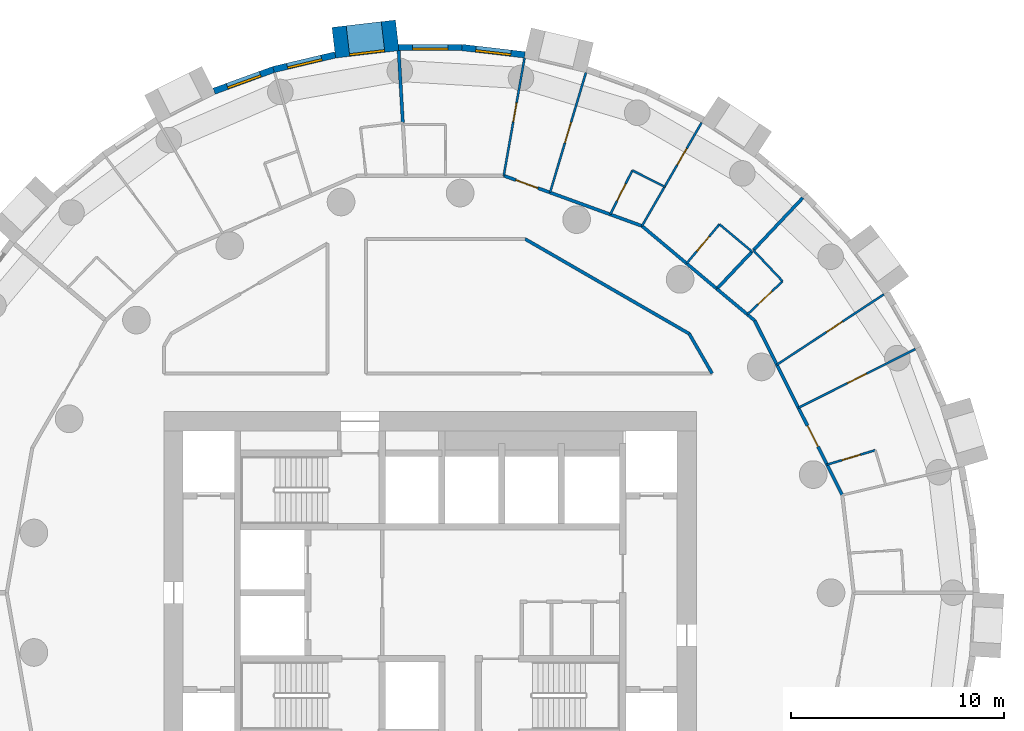
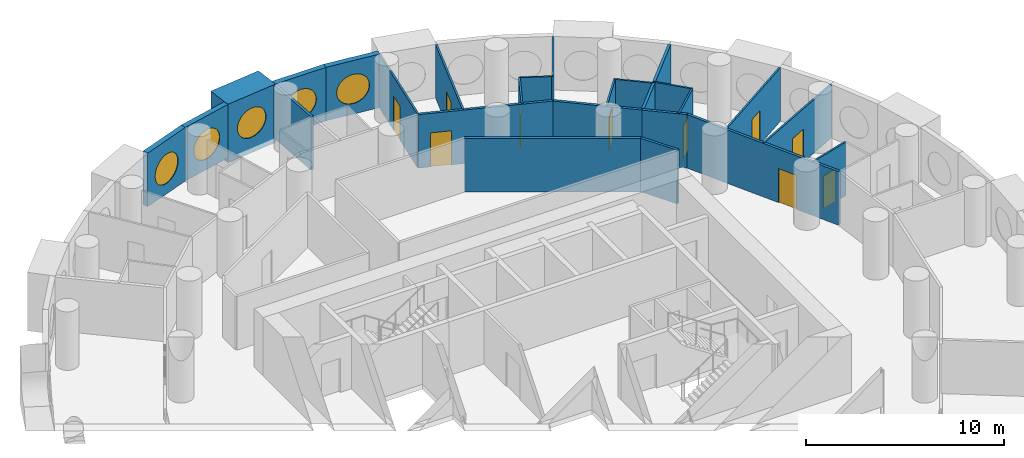
# One storey, part 7 of 10: 27 walls, 11 doors, 5 windows, 16 openings.
"""IFC4 building model written with IfcOpenShell, lengths in metres."""

from ifc_helpers import new_model, si_unit, direction, frame, frame_2d, origin, origin_2d, place, context, subcontext, project, spatial, rectangle, circle, extrude, material, layer, layer_set, type_object, element, fill, save


model = new_model("IFC4")

# Units and contexts
model_context = context("Model", 3, precision=1e-05, world=origin(), true_north=direction((0.0, 1.0)))
body_context = subcontext(model_context, "Body", "Model", "MODEL_VIEW")
ifc_project = project(units=[si_unit("LENGTHUNIT", "METRE"), si_unit("AREAUNIT", "SQUARE_METRE"), si_unit("VOLUMEUNIT", "CUBIC_METRE"), si_unit("PLANEANGLEUNIT", "RADIAN"), si_unit("MASSUNIT", "GRAM", prefix="KILO")], contexts=[model_context])

# Site, building, storey
site_placement = place(None, origin())
site = spatial("IfcSite", under=ifc_project, at=site_placement, CompositionType="ELEMENT")
building_placement = place(site_placement, origin())
building = spatial("IfcBuilding", under=site, at=building_placement, Name="Tracery Tower", CompositionType="ELEMENT")
storey_placement = place(building_placement, frame((0.0, 0.0, 129.60009765625)))
storey = spatial("IfcBuildingStorey", under=building, at=storey_placement, Name="L32", CompositionType="ELEMENT", Elevation=129.60009765625)

# Wall, opening, window
ifc_material_1 = material(Name="Precast concrete C50/60", Category="concrete")
ifc_layer_1 = layer(ifc_material_1, 1.449951171875)
ifc_layer_set_1 = layer_set([ifc_layer_1], Name="Deep-set bay unit 3000 x 3600, slab edge 300")
wall_type_1 = type_object("IfcWallType", Name="Deep-set bay unit 3000 x 3600, slab edge 300", PredefinedType="ELEMENTEDWALL", material=ifc_layer_set_1)
wall_1_placement = place(storey_placement, frame((-1.54931640625, 26.17626953125, -0.300048828125), z_axis=(0.0, 0.0, 1.0), x_axis=(-0.9932342274, -0.116128246006, 0.0)))
wall_1 = element("IfcWall", 1, at=wall_1_placement, inside=storey, type_object=wall_type_1, Name="Deep-set bay unit 15 at L32", PredefinedType="ELEMENTEDWALL", context=body_context, shape_type="SweptSolid", body=[
    extrude(rectangle(XDim=3.0, YDim=1.449951171875, at=frame_2d((1.5, 0.0))), origin(), (0.0, 0.0, 1.0), 3.599853515625),
])
opening_1_placement = place(wall_1_placement, frame((1.5, 0.0, 1.85009765625)))
opening_1 = element("IfcOpeningElement", 2, at=opening_1_placement, cuts=wall_1, Name="Opening WN1", PredefinedType="OPENING", context=body_context, shape_type="SweptSolid", body=[
    extrude(circle(Radius=0.9000244140625, at=origin_2d()), frame((0.0, 0.73486328125, 0.0), z_axis=(0.0, -1.0, 0.0), x_axis=(1.0, 0.0, 0.0)), (0.0, 0.0, 1.0), 1.469970703125),
])
ifc_material_2 = material(Name="Aluminium frame with tinted double glazing", Category="aluminium")
window_type = type_object("IfcWindowType", Name="Round window 1800", PartitioningType="SINGLE_PANEL", PredefinedType="WINDOW", material=ifc_material_2)
window_1_placement = place(opening_1_placement, origin())
window_1 = element("IfcWindow", 3, at=window_1_placement, inside=storey, type_object=window_type, Name="Round window 15 at L32", OverallHeight=1.800048828125, OverallWidth=1.800048828125, PartitioningType="SINGLE_PANEL", PredefinedType="WINDOW", context=body_context, shape_type="SweptSolid", body=[
    extrude(circle(Radius=0.9000244140625, at=origin_2d()), frame((0.0, 0.69482421875, 0.0), z_axis=(0.0, -1.0, 0.0), x_axis=(1.0, 0.0, 0.0)), (0.0, 0.0, 1.0), 0.10009765625),
])
fill(opening_1, window_1)

ifc_material_3 = material(Name="Precast concrete C50/60", Category="concrete")
ifc_layer_2 = layer(ifc_material_3, 0.300048828125)
ifc_layer_set_2 = layer_set([ifc_layer_2], Name="Facade panel 3000 x 3300")
wall_type_2 = type_object("IfcWallType", Name="Facade panel 3000 x 3300", PredefinedType="SOLIDWALL", material=ifc_layer_set_2)
wall_2_placement = place(storey_placement, frame((4.444091796875, 25.259033203125, 0.0), z_axis=(0.0, 0.0, 1.0), x_axis=(-0.993245010522, 0.1160359818, 0.0)))
wall_2 = element("IfcWall", 4, at=wall_2_placement, inside=storey, type_object=wall_type_2, Name="Facade panel 13 at L32", PredefinedType="SOLIDWALL", context=body_context, shape_type="SweptSolid", body=[
    extrude(rectangle(XDim=2.972900390625, YDim=0.300048828125, at=frame_2d((1.486328125, 0.0))), origin(), (0.0, 0.0, 1.0), 3.2998046875),
])
opening_2_placement = place(wall_2_placement, frame((1.486328125, 0.0, 1.5498046875)))
opening_2 = element("IfcOpeningElement", 5, at=opening_2_placement, cuts=wall_2, Name="Opening WN1", PredefinedType="OPENING", context=body_context, shape_type="SweptSolid", body=[
    extrude(circle(Radius=0.9000244140625, at=origin_2d()), frame((0.0, 0.159912109375, 0.0), z_axis=(0.0, -1.0, 0.0), x_axis=(1.0, 0.0, 0.0)), (0.0, 0.0, 1.0), 0.320068359375),
])
window_2_placement = place(opening_2_placement, origin())
window_2 = element("IfcWindow", 6, at=window_2_placement, inside=storey, type_object=window_type, Name="Round window 13 at L32", OverallHeight=1.800048828125, OverallWidth=1.800048828125, PartitioningType="SINGLE_PANEL", PredefinedType="WINDOW", context=body_context, shape_type="SweptSolid", body=[
    extrude(circle(Radius=0.9000244140625, at=origin_2d()), frame((0.0, 0.1201171875, 0.0), z_axis=(0.0, -1.0, 0.0), x_axis=(1.0, 0.0, 0.0)), (0.0, 0.0, 1.0), 0.10009765625),
])
fill(opening_2, window_2)

wall_3_placement = place(storey_placement, frame((1.4912109375, 25.60400390625, 0.0), z_axis=(0.0, 0.0, 1.0), x_axis=(-1.0, 0.0, 0.0)))
wall_3 = element("IfcWall", 7, at=wall_3_placement, inside=storey, type_object=wall_type_2, Name="Facade panel 14 at L32", PredefinedType="SOLIDWALL", context=body_context, shape_type="SweptSolid", body=[
    extrude(rectangle(XDim=2.972900390625, YDim=0.300048828125, at=frame_2d((1.486328125, 0.0))), origin(), (0.0, 0.0, 1.0), 3.2998046875),
])
opening_3_placement = place(wall_3_placement, frame((1.486328125, 0.0, 1.5498046875)))
opening_3 = element("IfcOpeningElement", 8, at=opening_3_placement, cuts=wall_3, Name="Opening WN1", PredefinedType="OPENING", context=body_context, shape_type="SweptSolid", body=[
    extrude(circle(Radius=0.9000244140625, at=origin_2d()), frame((0.0, 0.159912109375, 0.0), z_axis=(0.0, -1.0, 0.0), x_axis=(1.0, 0.0, 0.0)), (0.0, 0.0, 1.0), 0.320068359375),
])
window_3_placement = place(opening_3_placement, origin())
window_3 = element("IfcWindow", 9, at=window_3_placement, inside=storey, type_object=window_type, Name="Round window 14 at L32", OverallHeight=1.800048828125, OverallWidth=1.800048828125, PartitioningType="SINGLE_PANEL", PredefinedType="WINDOW", context=body_context, shape_type="SweptSolid", body=[
    extrude(circle(Radius=0.9000244140625, at=origin_2d()), frame((0.0, 0.1201171875, 0.0), z_axis=(0.0, -1.0, 0.0), x_axis=(1.0, 0.0, 0.0)), (0.0, 0.0, 1.0), 0.10009765625),
])
fill(opening_3, window_3)

wall_4_placement = place(storey_placement, frame((-4.463134765625, 25.255615234375, 0.0), z_axis=(0.0, 0.0, 1.0), x_axis=(-0.973045378923, -0.230613725862, 0.0)))
wall_4 = element("IfcWall", 10, at=wall_4_placement, inside=storey, type_object=wall_type_2, Name="Facade panel 16 at L32", PredefinedType="SOLIDWALL", context=body_context, shape_type="SweptSolid", body=[
    extrude(rectangle(XDim=2.97265625, YDim=0.300048828125, at=frame_2d((1.486328125, 0.0))), origin(), (0.0, 0.0, 1.0), 3.2998046875),
])
opening_4_placement = place(wall_4_placement, frame((1.486328125, 0.0, 1.5498046875)))
opening_4 = element("IfcOpeningElement", 11, at=opening_4_placement, cuts=wall_4, Name="Opening WN1", PredefinedType="OPENING", context=body_context, shape_type="SweptSolid", body=[
    extrude(circle(Radius=0.9000244140625, at=origin_2d()), frame((0.0, 0.159912109375, 0.0), z_axis=(0.0, -1.0, 0.0), x_axis=(1.0, 0.0, 0.0)), (0.0, 0.0, 1.0), 0.320068359375),
])
window_4_placement = place(opening_4_placement, origin())
window_4 = element("IfcWindow", 12, at=window_4_placement, inside=storey, type_object=window_type, Name="Round window 16 at L32", OverallHeight=1.800048828125, OverallWidth=1.800048828125, PartitioningType="SINGLE_PANEL", PredefinedType="WINDOW", context=body_context, shape_type="SweptSolid", body=[
    extrude(circle(Radius=0.9000244140625, at=origin_2d()), frame((0.0, 0.1201171875, 0.0), z_axis=(0.0, -1.0, 0.0), x_axis=(1.0, 0.0, 0.0)), (0.0, 0.0, 1.0), 0.10009765625),
])
fill(opening_4, window_4)

wall_5_placement = place(storey_placement, frame((-7.355712890625, 24.570068359375, 0.0), z_axis=(0.0, 0.0, 1.0), x_axis=(-0.939690282133, -0.342026568652, 0.0)))
wall_5 = element("IfcWall", 13, at=wall_5_placement, inside=storey, type_object=wall_type_2, Name="Facade panel 17 at L32", PredefinedType="SOLIDWALL", context=body_context, shape_type="SweptSolid", body=[
    extrude(rectangle(XDim=2.972900390625, YDim=0.300048828125, at=frame_2d((1.486328125, 0.0))), origin(), (0.0, 0.0, 1.0), 3.2998046875),
])
opening_5_placement = place(wall_5_placement, frame((1.486328125, 0.0, 1.5498046875)))
opening_5 = element("IfcOpeningElement", 14, at=opening_5_placement, cuts=wall_5, Name="Opening WN1", PredefinedType="OPENING", context=body_context, shape_type="SweptSolid", body=[
    extrude(circle(Radius=0.9000244140625, at=origin_2d()), frame((0.0, 0.159912109375, 0.0), z_axis=(0.0, -1.0, 0.0), x_axis=(1.0, 0.0, 0.0)), (0.0, 0.0, 1.0), 0.320068359375),
])
window_5_placement = place(opening_5_placement, origin())
window_5 = element("IfcWindow", 15, at=window_5_placement, inside=storey, type_object=window_type, Name="Round window 17 at L32", OverallHeight=1.800048828125, OverallWidth=1.800048828125, PartitioningType="SINGLE_PANEL", PredefinedType="WINDOW", context=body_context, shape_type="SweptSolid", body=[
    extrude(circle(Radius=0.9000244140625, at=origin_2d()), frame((0.0, 0.1201171875, 0.0), z_axis=(0.0, -1.0, 0.0), x_axis=(1.0, 0.0, 0.0)), (0.0, 0.0, 1.0), 0.10009765625),
])
fill(opening_5, window_5)

# Wall, opening, door
ifc_material_4 = material(Name="Plasterboard on steel studs", Category="steel")
ifc_layer_3 = layer(ifc_material_4, 0.10009765625)
ifc_layer_set_3 = layer_set([ifc_layer_3], Name="Partition 100 stud")
wall_type_3 = type_object("IfcWallType", Name="Partition 100 stud", PredefinedType="PARTITIONING", material=ifc_layer_set_3)
wall_6_placement = place(storey_placement, frame((17.29296875, 8.68505859375, 0.0), z_axis=(0.0, 0.0, 1.0), x_axis=(0.893639230217, 0.448786058403, 0.0)))
wall_6 = element("IfcWall", 16, at=wall_6_placement, inside=storey, type_object=wall_type_3, Name="Stud partition RB1-040", PredefinedType="PARTITIONING", context=body_context, shape_type="SweptSolid", body=[
    extrude(rectangle(XDim=6.1455078125, YDim=0.10009765625, at=frame_2d((3.07275390625, 0.0))), origin(), (0.0, 0.0, 1.0), 3.2998046875),
])
opening_6_placement = place(wall_6_placement, frame((2.572998046875, 0.0, 0.0)))
opening_6 = element("IfcOpeningElement", 17, at=opening_6_placement, cuts=wall_6, Name="Opening RB1-06", PredefinedType="OPENING", context=body_context, shape_type="SweptSolid", body=[
    extrude(rectangle(XDim=1.0, YDim=2.0400390625, at=frame_2d((0.5, 1.02001953125))), frame((0.0, 0.050048828125, 0.0), z_axis=(0.0, -1.0, 0.0), x_axis=(1.0, 0.0, 0.0)), (0.0, 0.0, 1.0), 0.10009765625),
])
ifc_material_5 = material(Name="Timber door leaf", Category="wood")
door_type_1 = type_object("IfcDoorType", Name="Door communal room 1000", OperationType="NOTDEFINED", PredefinedType="DOOR", material=ifc_material_5)
door_1_placement = place(opening_6_placement, origin())
door_1 = element("IfcDoor", 18, at=door_1_placement, inside=storey, type_object=door_type_1, Name="Communal room door RB1-06", OperationType="SINGLE_SWING_RIGHT", OverallHeight=2.0400390625, OverallWidth=1.0, PredefinedType="DOOR", context=body_context, shape_type="SweptSolid", body=[
    extrude(rectangle(XDim=1.0, YDim=2.0400390625, at=frame_2d((0.5, 1.02001953125))), frame((0.0, 0.02490234375, 0.0), z_axis=(0.0, -1.0, 0.0), x_axis=(1.0, 0.0, 0.0)), (0.0, 0.0, 1.0), 0.050048828125),
])
fill(opening_6, door_1)

wall_7_placement = place(storey_placement, frame((16.278076171875, 10.7060546875, 0.0), z_axis=(0.0, 0.0, 1.0), x_axis=(0.835487706207, 0.549509138029, 0.0)))
wall_7 = element("IfcWall", 19, at=wall_7_placement, inside=storey, type_object=wall_type_3, Name="Stud partition RB1-044", PredefinedType="PARTITIONING", context=body_context, shape_type="SweptSolid", body=[
    extrude(rectangle(XDim=6.014404296875, YDim=0.10009765625, at=frame_2d((3.00732421875, 0.0))), origin(), (0.0, 0.0, 1.0), 3.2998046875),
])
opening_7_placement = place(wall_7_placement, frame((2.79296875, 0.0, 0.0)))
opening_7 = element("IfcOpeningElement", 20, at=opening_7_placement, cuts=wall_7, Name="Opening RB1-10", PredefinedType="OPENING", context=body_context, shape_type="SweptSolid", body=[
    extrude(rectangle(XDim=0.89990234375, YDim=2.10009765625, at=frame_2d((0.449951171875, 1.050048828125))), frame((0.0, 0.050048828125, 0.0), z_axis=(0.0, -1.0, 0.0), x_axis=(1.0, 0.0, 0.0)), (0.0, 0.0, 1.0), 0.10009765625),
])
ifc_material_6 = material(Name="Timber door leaf", Category="wood")
door_type_2 = type_object("IfcDoorType", Name="Door bedroom 900", OperationType="NOTDEFINED", PredefinedType="DOOR", material=ifc_material_6)
door_2_placement = place(opening_7_placement, origin())
door_2 = element("IfcDoor", 21, at=door_2_placement, inside=storey, type_object=door_type_2, Name="Bedroom door RB1-10", OperationType="SINGLE_SWING_RIGHT", OverallHeight=2.10009765625, OverallWidth=0.89990234375, PredefinedType="DOOR", context=body_context, shape_type="SweptSolid", body=[
    extrude(rectangle(XDim=0.89990234375, YDim=2.10009765625, at=frame_2d((0.449951171875, 1.050048828125))), frame((0.0, 0.02490234375, 0.0), z_axis=(0.0, -1.0, 0.0), x_axis=(1.0, 0.0, 0.0)), (0.0, 0.0, 1.0), 0.050048828125),
])
fill(opening_7, door_2)

wall_8_placement = place(storey_placement, frame((5.626953125, 18.794921875, 0.0), z_axis=(0.0, 0.0, 1.0), x_axis=(0.286833432865, 0.957980470464, 0.0)))
wall_8 = element("IfcWall", 22, at=wall_8_placement, inside=storey, type_object=wall_type_3, Name="Stud partition RB1-053", PredefinedType="PARTITIONING", context=body_context, shape_type="SweptSolid", body=[
    extrude(rectangle(XDim=5.878173828125, YDim=0.10009765625, at=frame_2d((2.93896484375, 0.0))), origin(), (0.0, 0.0, 1.0), 3.2998046875),
])
opening_8_placement = place(wall_8_placement, frame((2.43896484375, 0.0, 0.0)))
opening_8 = element("IfcOpeningElement", 23, at=opening_8_placement, cuts=wall_8, Name="Opening RB1-13", PredefinedType="OPENING", context=body_context, shape_type="SweptSolid", body=[
    extrude(rectangle(XDim=1.0, YDim=2.0400390625, at=frame_2d((0.5, 1.02001953125))), frame((0.0, 0.050048828125, 0.0), z_axis=(0.0, -1.0, 0.0), x_axis=(1.0, 0.0, 0.0)), (0.0, 0.0, 1.0), 0.10009765625),
])
door_3_placement = place(opening_8_placement, origin())
door_3 = element("IfcDoor", 24, at=door_3_placement, inside=storey, type_object=door_type_1, Name="Communal room door RB1-13", OperationType="SINGLE_SWING_RIGHT", OverallHeight=2.0400390625, OverallWidth=1.0, PredefinedType="DOOR", context=body_context, shape_type="SweptSolid", body=[
    extrude(rectangle(XDim=1.0, YDim=2.0400390625, at=frame_2d((0.5, 1.02001953125))), frame((0.0, 0.02490234375, 0.0), z_axis=(0.0, -1.0, 0.0), x_axis=(1.0, 0.0, 0.0)), (0.0, 0.0, 1.0), 0.050048828125),
])
fill(opening_8, door_3)

wall_9_placement = place(storey_placement, frame((11.009033203125, 19.068115234375, 0.0), z_axis=(0.0, 0.0, 1.0), x_axis=(0.500101058546, 0.865967049743, 0.0)))
wall_9 = element("IfcWall", 25, at=wall_9_placement, inside=storey, type_object=wall_type_3, Name="Stud partition RB1-056", PredefinedType="PARTITIONING", context=body_context, shape_type="SweptSolid", body=[
    extrude(rectangle(XDim=3.479248046875, YDim=0.10009765625, at=frame_2d((1.73974609375, 0.0))), origin(), (0.0, 0.0, 1.0), 3.2998046875),
])
opening_9_placement = place(wall_9_placement, frame((1.180419921875, 0.0, 0.0)))
opening_9 = element("IfcOpeningElement", 26, at=opening_9_placement, cuts=wall_9, Name="Opening RB1-15", PredefinedType="OPENING", context=body_context, shape_type="SweptSolid", body=[
    extrude(rectangle(XDim=0.89990234375, YDim=2.10009765625, at=frame_2d((0.449951171875, 1.050048828125))), frame((0.0, 0.050048828125, 0.0), z_axis=(0.0, -1.0, 0.0), x_axis=(1.0, 0.0, 0.0)), (0.0, 0.0, 1.0), 0.10009765625),
])
door_4_placement = place(opening_9_placement, origin())
door_4 = element("IfcDoor", 27, at=door_4_placement, inside=storey, type_object=door_type_2, Name="Bedroom door RB1-15", OperationType="SINGLE_SWING_RIGHT", OverallHeight=2.10009765625, OverallWidth=0.89990234375, PredefinedType="DOOR", context=body_context, shape_type="SweptSolid", body=[
    extrude(rectangle(XDim=0.89990234375, YDim=2.10009765625, at=frame_2d((0.449951171875, 1.050048828125))), frame((0.0, 0.02490234375, 0.0), z_axis=(0.0, -1.0, 0.0), x_axis=(1.0, 0.0, 0.0)), (0.0, 0.0, 1.0), 0.050048828125),
])
fill(opening_9, door_4)

wall_10_placement = place(storey_placement, frame((3.452880859375, 19.5859375, 0.0), z_axis=(0.0, 0.0, 1.0), x_axis=(0.17382754149, 0.984776109489, 0.0)))
wall_10 = element("IfcWall", 28, at=wall_10_placement, inside=storey, type_object=wall_type_3, Name="Stud partition RB1-057", PredefinedType="PARTITIONING", context=body_context, shape_type="SweptSolid", body=[
    extrude(rectangle(XDim=5.609619140625, YDim=0.10009765625, at=frame_2d((2.8046875, 0.0))), origin(), (0.0, 0.0, 1.0), 3.2998046875),
])
opening_10_placement = place(wall_10_placement, frame((2.570068359375, 0.0, 0.0)))
opening_10 = element("IfcOpeningElement", 29, at=opening_10_placement, cuts=wall_10, Name="Opening RB1-17", PredefinedType="OPENING", context=body_context, shape_type="SweptSolid", body=[
    extrude(rectangle(XDim=0.89990234375, YDim=2.10009765625, at=frame_2d((0.449951171875, 1.050048828125))), frame((0.0, 0.050048828125, 0.0), z_axis=(0.0, -1.0, 0.0), x_axis=(1.0, 0.0, 0.0)), (0.0, 0.0, 1.0), 0.10009765625),
])
door_5_placement = place(opening_10_placement, origin())
door_5 = element("IfcDoor", 30, at=door_5_placement, inside=storey, type_object=door_type_2, Name="Bedroom door RB1-17", OperationType="SINGLE_SWING_RIGHT", OverallHeight=2.10009765625, OverallWidth=0.89990234375, PredefinedType="DOOR", context=body_context, shape_type="SweptSolid", body=[
    extrude(rectangle(XDim=0.89990234375, YDim=2.10009765625, at=frame_2d((0.449951171875, 1.050048828125))), frame((0.0, 0.02490234375, 0.0), z_axis=(0.0, -1.0, 0.0), x_axis=(1.0, 0.0, 0.0)), (0.0, 0.0, 1.0), 0.050048828125),
])
fill(opening_10, door_5)

ifc_material_7 = material(Name="Plasterboard on steel studs", Category="steel")
ifc_layer_4 = layer(ifc_material_7, 0.10009765625)
ifc_layer_set_4 = layer_set([ifc_layer_4], Name="Partition 100 wet wall")
wall_type_4 = type_object("IfcWallType", Name="Partition 100 wet wall", PredefinedType="PARTITIONING", material=ifc_layer_set_4)
wall_11_placement = place(storey_placement, frame((18.634033203125, 6.014892578125, 0.0), z_axis=(0.0, 0.0, 1.0), x_axis=(0.957968074201, 0.286874831262, 0.0)))
wall_11 = element("IfcWall", 31, at=wall_11_placement, inside=storey, type_object=wall_type_4, Name="Wet wall RB1-042", PredefinedType="PARTITIONING", context=body_context, shape_type="SweptSolid", body=[
    extrude(rectangle(XDim=2.36767578125, YDim=0.10009765625, at=frame_2d((1.183837890625, 0.0))), origin(), (0.0, 0.0, 1.0), 3.2998046875),
])
opening_11_placement = place(wall_11_placement, frame((0.7333984375, 0.0, 0.0)))
opening_11 = element("IfcOpeningElement", 32, at=opening_11_placement, cuts=wall_11, Name="Opening RB1-07", PredefinedType="OPENING", context=body_context, shape_type="SweptSolid", body=[
    extrude(rectangle(XDim=0.89990234375, YDim=2.0, at=frame_2d((0.449951171875, 1.0))), frame((0.0, 0.050048828125, 0.0), z_axis=(0.0, -1.0, 0.0), x_axis=(1.0, 0.0, 0.0)), (0.0, 0.0, 1.0), 0.10009765625),
])
ifc_material_8 = material(Name="Timber door leaf", Category="wood")
door_type_3 = type_object("IfcDoorType", Name="Door shower room 900", OperationType="NOTDEFINED", PredefinedType="DOOR", material=ifc_material_8)
door_6_placement = place(opening_11_placement, origin())
door_6 = element("IfcDoor", 33, at=door_6_placement, inside=storey, type_object=door_type_3, Name="Shower room door RB1-07", OperationType="SINGLE_SWING_RIGHT", OverallHeight=2.0, OverallWidth=0.89990234375, PredefinedType="DOOR", context=body_context, shape_type="SweptSolid", body=[
    extrude(rectangle(XDim=0.89990234375, YDim=2.0, at=frame_2d((0.449951171875, 1.0))), frame((0.0, 0.02490234375, 0.0), z_axis=(0.0, -1.0, 0.0), x_axis=(1.0, 0.0, 0.0)), (0.0, 0.0, 1.0), 0.050048828125),
])
fill(opening_11, door_6)

wall_12_placement = place(storey_placement, frame((14.89599609375, 13.068115234375, 0.0), z_axis=(0.0, 0.0, 1.0), x_axis=(0.727754926423, 0.68583727448, 0.0)))
wall_12 = element("IfcWall", 34, at=wall_12_placement, inside=storey, type_object=wall_type_4, Name="Wet wall RB1-049", PredefinedType="PARTITIONING", context=body_context, shape_type="SweptSolid", body=[
    extrude(rectangle(XDim=2.271484375, YDim=0.10009765625, at=frame_2d((1.1357421875, 0.0))), origin(), (0.0, 0.0, 1.0), 3.2998046875),
])
opening_12_placement = place(wall_12_placement, frame((0.68603515625, 0.0, 0.0)))
opening_12 = element("IfcOpeningElement", 35, at=opening_12_placement, cuts=wall_12, Name="Opening RB1-11", PredefinedType="OPENING", context=body_context, shape_type="SweptSolid", body=[
    extrude(rectangle(XDim=0.89990234375, YDim=2.0400390625, at=frame_2d((0.449951171875, 1.02001953125))), frame((0.0, 0.050048828125, 0.0), z_axis=(0.0, -1.0, 0.0), x_axis=(1.0, 0.0, 0.0)), (0.0, 0.0, 1.0), 0.10009765625),
])
ifc_material_9 = material(Name="Timber door leaf", Category="wood")
door_type_4 = type_object("IfcDoorType", Name="Door en-suite 900", OperationType="NOTDEFINED", PredefinedType="DOOR", material=ifc_material_9)
door_7_placement = place(opening_12_placement, origin())
door_7 = element("IfcDoor", 36, at=door_7_placement, inside=storey, type_object=door_type_4, Name="En-suite door RB1-11", OperationType="SINGLE_SWING_RIGHT", OverallHeight=2.0400390625, OverallWidth=0.89990234375, PredefinedType="DOOR", context=body_context, shape_type="SweptSolid", body=[
    extrude(rectangle(XDim=0.89990234375, YDim=2.0400390625, at=frame_2d((0.449951171875, 1.02001953125))), frame((0.0, 0.02490234375, 0.0), z_axis=(0.0, -1.0, 0.0), x_axis=(1.0, 0.0, 0.0)), (0.0, 0.0, 1.0), 0.050048828125),
])
fill(opening_12, door_7)

# Walls
wall_13_placement = place(storey_placement, frame((15.174072265625, 16.0830078125, 0.0), z_axis=(0.0, 0.0, 1.0), x_axis=(0.686337209023, -0.727283462971, 0.0)))
element("IfcWall", 37, at=wall_13_placement, inside=storey, type_object=wall_type_4, Name="Wet wall RB1-050", PredefinedType="PARTITIONING", context=body_context, shape_type="SweptSolid", body=[
    extrude(rectangle(XDim=2.00341796875, YDim=0.10009765625, at=frame_2d((1.001708984375, 0.0))), origin(), (0.0, 0.0, 1.0), 3.2998046875),
])
wall_14_placement = place(storey_placement, frame((9.491943359375, 19.830078125, 0.0), z_axis=(0.0, 0.0, 1.0), x_axis=(0.893620418257, -0.44882351551, 0.0)))
element("IfcWall", 38, at=wall_14_placement, inside=storey, type_object=wall_type_4, Name="Wet wall RB1-054", PredefinedType="PARTITIONING", context=body_context, shape_type="SweptSolid", body=[
    extrude(rectangle(XDim=1.69775390625, YDim=0.10009765625, at=frame_2d((0.848876953125, 0.0))), origin(), (0.0, 0.0, 1.0), 3.2998046875),
])

# Wall, opening, door
wall_15_placement = place(storey_placement, frame((8.455078125, 17.764892578125, 0.0), z_axis=(0.0, 0.0, 1.0), x_axis=(0.448692072555, 0.893686423768, 0.0)))
wall_15 = element("IfcWall", 39, at=wall_15_placement, inside=storey, type_object=wall_type_4, Name="Wet wall RB1-055", PredefinedType="PARTITIONING", context=body_context, shape_type="SweptSolid", body=[
    extrude(rectangle(XDim=2.310791015625, YDim=0.10009765625, at=frame_2d((1.1552734375, 0.0))), origin(), (0.0, 0.0, 1.0), 3.2998046875),
])
opening_13_placement = place(wall_15_placement, frame((0.705810546875, 0.0, 0.0)))
opening_13 = element("IfcOpeningElement", 40, at=opening_13_placement, cuts=wall_15, Name="Opening RB1-14", PredefinedType="OPENING", context=body_context, shape_type="SweptSolid", body=[
    extrude(rectangle(XDim=0.89990234375, YDim=2.0, at=frame_2d((0.449951171875, 1.0))), frame((0.0, 0.050048828125, 0.0), z_axis=(0.0, -1.0, 0.0), x_axis=(1.0, 0.0, 0.0)), (0.0, 0.0, 1.0), 0.10009765625),
])
door_8_placement = place(opening_13_placement, origin())
door_8 = element("IfcDoor", 41, at=door_8_placement, inside=storey, type_object=door_type_3, Name="Shower room door RB1-14", OperationType="SINGLE_SWING_LEFT", OverallHeight=2.0, OverallWidth=0.89990234375, PredefinedType="DOOR", context=body_context, shape_type="SweptSolid", body=[
    extrude(rectangle(XDim=0.89990234375, YDim=2.0, at=frame_2d((0.449951171875, 1.0))), frame((0.0, 0.02490234375, 0.0), z_axis=(0.0, -1.0, 0.0), x_axis=(1.0, 0.0, 0.0)), (0.0, 0.0, 1.0), 0.050048828125),
])
fill(opening_13, door_8)

# Walls
wall_16_placement = place(storey_placement, frame((9.944091796875, 17.222900390625, 0.0), z_axis=(0.0, 0.0, 1.0), x_axis=(0.499861334108, 0.866105447774, 0.0)))
element("IfcWall", 42, at=wall_16_placement, inside=storey, type_object=wall_type_4, Name="Wet wall RB1-058", PredefinedType="PARTITIONING", context=body_context, shape_type="SweptSolid", body=[
    extrude(rectangle(XDim=2.13037109375, YDim=0.10009765625, at=frame_2d((1.065185546875, 0.0))), origin(), (0.0, 0.0, 1.0), 3.2998046875),
])
wall_17_placement = place(storey_placement, frame((13.58203125, 17.302978515625, 0.0), z_axis=(0.0, 0.0, 1.0), x_axis=(0.766224532916, -0.642572925945, 0.0)))
element("IfcWall", 43, at=wall_17_placement, inside=storey, type_object=wall_type_4, Name="Wet wall RB1-059", PredefinedType="PARTITIONING", context=body_context, shape_type="SweptSolid", body=[
    extrude(rectangle(XDim=1.998046875, YDim=0.10009765625, at=frame_2d((0.9990234375, 0.0))), origin(), (0.0, 0.0, 1.0), 3.2998046875),
])

# Wall, opening, door
wall_18_placement = place(storey_placement, frame((12.0400390625, 15.465087890625, 0.0), z_axis=(0.0, 0.0, 1.0), x_axis=(0.642743296644, 0.766081623993, 0.0)))
wall_18 = element("IfcWall", 44, at=wall_18_placement, inside=storey, type_object=wall_type_4, Name="Wet wall RB1-060", PredefinedType="PARTITIONING", context=body_context, shape_type="SweptSolid", body=[
    extrude(rectangle(XDim=2.399169921875, YDim=0.10009765625, at=frame_2d((1.19970703125, 0.0))), origin(), (0.0, 0.0, 1.0), 3.2998046875),
])
opening_14_placement = place(wall_18_placement, frame((0.749267578125, 0.0, 0.0)))
opening_14 = element("IfcOpeningElement", 45, at=opening_14_placement, cuts=wall_18, Name="Opening RB1-16", PredefinedType="OPENING", context=body_context, shape_type="SweptSolid", body=[
    extrude(rectangle(XDim=0.89990234375, YDim=2.0400390625, at=frame_2d((0.449951171875, 1.02001953125))), frame((0.0, 0.050048828125, 0.0), z_axis=(0.0, -1.0, 0.0), x_axis=(1.0, 0.0, 0.0)), (0.0, 0.0, 1.0), 0.10009765625),
])
door_9_placement = place(opening_14_placement, origin())
door_9 = element("IfcDoor", 46, at=door_9_placement, inside=storey, type_object=door_type_4, Name="En-suite door RB1-16", OperationType="SINGLE_SWING_RIGHT", OverallHeight=2.0400390625, OverallWidth=0.89990234375, PredefinedType="DOOR", context=body_context, shape_type="SweptSolid", body=[
    extrude(rectangle(XDim=0.89990234375, YDim=2.0400390625, at=frame_2d((0.449951171875, 1.02001953125))), frame((0.0, 0.02490234375, 0.0), z_axis=(0.0, -1.0, 0.0), x_axis=(1.0, 0.0, 0.0)), (0.0, 0.0, 1.0), 0.050048828125),
])
fill(opening_14, door_9)

# Walls
ifc_material_10 = material(Name="Plasterboard on steel studs", Category="steel")
ifc_layer_5 = layer(ifc_material_10, 0.14990234375)
ifc_layer_set_5 = layer_set([ifc_layer_5], Name="Partition 150 acoustic unit wall")
wall_type_5 = type_object("IfcWallType", Name="Partition 150 acoustic unit wall", PredefinedType="PARTITIONING", material=ifc_layer_set_5)
wall_19_placement = place(storey_placement, frame((15.174072265625, 16.0830078125, 0.0), z_axis=(0.0, 0.0, 1.0), x_axis=(0.686144834043, 0.727464959099, 0.0)))
element("IfcWall", 47, at=wall_19_placement, inside=storey, type_object=wall_type_5, Name="Unit wall RB1-051", PredefinedType="PARTITIONING", context=body_context, shape_type="SweptSolid", body=[
    extrude(rectangle(XDim=3.385498046875, YDim=0.14990234375, at=frame_2d((1.69287109375, 0.0))), origin(), (0.0, 0.0, 1.0), 3.2998046875),
])
wall_20_placement = place(storey_placement, frame((13.462890625, 14.27001953125, 0.0), z_axis=(0.0, 0.0, 1.0), x_axis=(0.686486574862, 0.727142477465, 0.0)))
element("IfcWall", 48, at=wall_20_placement, inside=storey, type_object=wall_type_5, Name="Unit wall RB1-052", PredefinedType="PARTITIONING", context=body_context, shape_type="SweptSolid", body=[
    extrude(rectangle(XDim=2.407958984375, YDim=0.14990234375, at=frame_2d((1.2041015625, 0.0))), origin(), (0.0, 0.0, 1.0), 3.2998046875),
])
wall_21_placement = place(storey_placement, frame((-1.48291015625, 25.4541015625, 0.0), z_axis=(0.0, 0.0, 1.0), x_axis=(0.058122482782, -0.998309459534, 0.0)))
element("IfcWall", 49, at=wall_21_placement, inside=storey, type_object=wall_type_5, Name="Unit wall RB1-063", PredefinedType="PARTITIONING", context=body_context, shape_type="SweptSolid", body=[
    extrude(rectangle(XDim=3.3896484375, YDim=0.14990234375, at=frame_2d((1.69482421875, 0.0))), origin(), (0.0, 0.0, 1.0), 3.2998046875),
])
ifc_material_11 = material(Name="Plasterboard on steel studs", Category="steel")
ifc_layer_6 = layer(ifc_material_11, 0.14990234375)
ifc_layer_set_6 = layer_set([ifc_layer_6], Name="Partition 150 corridor wall")
wall_type_6 = type_object("IfcWallType", Name="Partition 150 corridor wall", PredefinedType="PARTITIONING", material=ifc_layer_set_6)
wall_22_placement = place(storey_placement, frame((12.162109375, 12.162109375, 0.0), z_axis=(0.0, 0.0, 1.0), x_axis=(0.499961633463, -0.866047553582, 0.0)))
element("IfcWall", 50, at=wall_22_placement, inside=storey, type_object=wall_type_6, Name="Corridor wall RB1-005", PredefinedType="PARTITIONING", context=body_context, shape_type="SweptSolid", body=[
    extrude(rectangle(XDim=2.150146484375, YDim=0.14990234375, at=frame_2d((1.0751953125, 0.0))), origin(), (0.0, 0.0, 1.0), 3.2998046875),
])

# Wall, opening, door
wall_23_placement = place(storey_placement, frame((15.234619140625, 12.78369140625, 0.0), z_axis=(0.0, 0.0, 1.0), x_axis=(0.448809691484, -0.893627361281, 0.0)))
wall_23 = element("IfcWall", 51, at=wall_23_placement, inside=storey, type_object=wall_type_6, Name="Corridor wall RB1-007", PredefinedType="PARTITIONING", context=body_context, shape_type="SweptSolid", body=[
    extrude(rectangle(XDim=9.173583984375, YDim=0.14990234375, at=frame_2d((4.5869140625, 0.0))), origin(), (0.0, 0.0, 1.0), 3.2998046875),
])
opening_15_placement = place(wall_23_placement, frame((5.5302734375, 0.0, 0.0)))
opening_15 = element("IfcOpeningElement", 52, at=opening_15_placement, cuts=wall_23, Name="Opening RB1-05", PredefinedType="OPENING", context=body_context, shape_type="SweptSolid", body=[
    extrude(rectangle(XDim=1.10009765625, YDim=2.10009765625, at=frame_2d((0.550048828125, 1.050048828125))), frame((0.0, 0.074951171875, 0.0), z_axis=(0.0, -1.0, 0.0), x_axis=(1.0, 0.0, 0.0)), (0.0, 0.0, 1.0), 0.14990234375),
])
ifc_material_12 = material(Name="Timber door leaf", Category="wood")
door_type_5 = type_object("IfcDoorType", Name="Door cluster entrance 1100", OperationType="NOTDEFINED", PredefinedType="DOOR", material=ifc_material_12)
door_10_placement = place(opening_15_placement, origin())
door_10 = element("IfcDoor", 53, at=door_10_placement, inside=storey, type_object=door_type_5, Name="Cluster entrance door RB1-05", OperationType="SINGLE_SWING_LEFT", OverallHeight=2.10009765625, OverallWidth=1.10009765625, PredefinedType="DOOR", context=body_context, shape_type="SweptSolid", body=[
    extrude(rectangle(XDim=1.10009765625, YDim=2.10009765625, at=frame_2d((0.550048828125, 1.050048828125))), frame((0.0, 0.02490234375, 0.0), z_axis=(0.0, -1.0, 0.0), x_axis=(1.0, 0.0, 0.0)), (0.0, 0.0, 1.0), 0.050048828125),
])
fill(opening_15, door_10)

# Walls
wall_24_placement = place(storey_placement, frame((13.458251953125, 14.27001953125, 0.0), z_axis=(0.0, 0.0, 1.0), x_axis=(0.767079699321, -0.641551817775, 0.0)))
element("IfcWall", 54, at=wall_24_placement, inside=storey, type_object=wall_type_6, Name="Corridor wall RB1-009", PredefinedType="PARTITIONING", context=body_context, shape_type="SweptSolid", body=[
    extrude(rectangle(XDim=2.31640625, YDim=0.14990234375, at=frame_2d((1.158203125, 0.0))), origin(), (0.0, 0.0, 1.0), 3.2998046875),
])
wall_25_placement = place(storey_placement, frame((4.451904296875, 16.614013671875, 0.0), z_axis=(0.0, 0.0, 1.0), x_axis=(0.866005203721, -0.500034985904, 0.0)))
element("IfcWall", 55, at=wall_25_placement, inside=storey, type_object=wall_type_6, Name="Corridor wall RB1-015", PredefinedType="PARTITIONING", context=body_context, shape_type="SweptSolid", body=[
    extrude(rectangle(XDim=8.903076171875, YDim=0.14990234375, at=frame_2d((4.45166015625, 0.0))), origin(), (0.0, 0.0, 1.0), 3.2998046875),
])

# Wall, opening, door
wall_26_placement = place(storey_placement, frame((3.452880859375, 19.585693359375, 0.0), z_axis=(0.0, 0.0, 1.0), x_axis=(0.939706711967, -0.341981425643, 0.0)))
wall_26 = element("IfcWall", 56, at=wall_26_placement, inside=storey, type_object=wall_type_6, Name="Corridor wall RB1-018", PredefinedType="PARTITIONING", context=body_context, shape_type="SweptSolid", body=[
    extrude(rectangle(XDim=6.90771484375, YDim=0.14990234375, at=frame_2d((3.453857421875, 0.0))), origin(), (0.0, 0.0, 1.0), 3.2998046875),
])
opening_16_placement = place(wall_26_placement, frame((0.60791015625, 0.0, 0.0)))
opening_16 = element("IfcOpeningElement", 57, at=opening_16_placement, cuts=wall_26, Name="Opening RB1-12", PredefinedType="OPENING", context=body_context, shape_type="SweptSolid", body=[
    extrude(rectangle(XDim=1.10009765625, YDim=2.10009765625, at=frame_2d((0.550048828125, 1.050048828125))), frame((0.0, 0.074951171875, 0.0), z_axis=(0.0, -1.0, 0.0), x_axis=(1.0, 0.0, 0.0)), (0.0, 0.0, 1.0), 0.14990234375),
])
door_11_placement = place(opening_16_placement, origin())
door_11 = element("IfcDoor", 58, at=door_11_placement, inside=storey, type_object=door_type_5, Name="Cluster entrance door RB1-12", OperationType="SINGLE_SWING_LEFT", OverallHeight=2.10009765625, OverallWidth=1.10009765625, PredefinedType="DOOR", context=body_context, shape_type="SweptSolid", body=[
    extrude(rectangle(XDim=1.10009765625, YDim=2.10009765625, at=frame_2d((0.550048828125, 1.050048828125))), frame((0.0, 0.02490234375, 0.0), z_axis=(0.0, -1.0, 0.0), x_axis=(1.0, 0.0, 0.0)), (0.0, 0.0, 1.0), 0.050048828125),
])
fill(opening_16, door_11)

# Wall
wall_27_placement = place(storey_placement, frame((9.944091796875, 17.222900390625, 0.0), z_axis=(0.0, 0.0, 1.0), x_axis=(0.765940168638, -0.642911858708, 0.0)))
element("IfcWall", 59, at=wall_27_placement, inside=storey, type_object=wall_type_6, Name="Corridor wall RB1-019", PredefinedType="PARTITIONING", context=body_context, shape_type="SweptSolid", body=[
    extrude(rectangle(XDim=4.597900390625, YDim=0.14990234375, at=frame_2d((2.298828125, 0.0))), origin(), (0.0, 0.0, 1.0), 3.2998046875),
])

save(model, "model.ifc")
